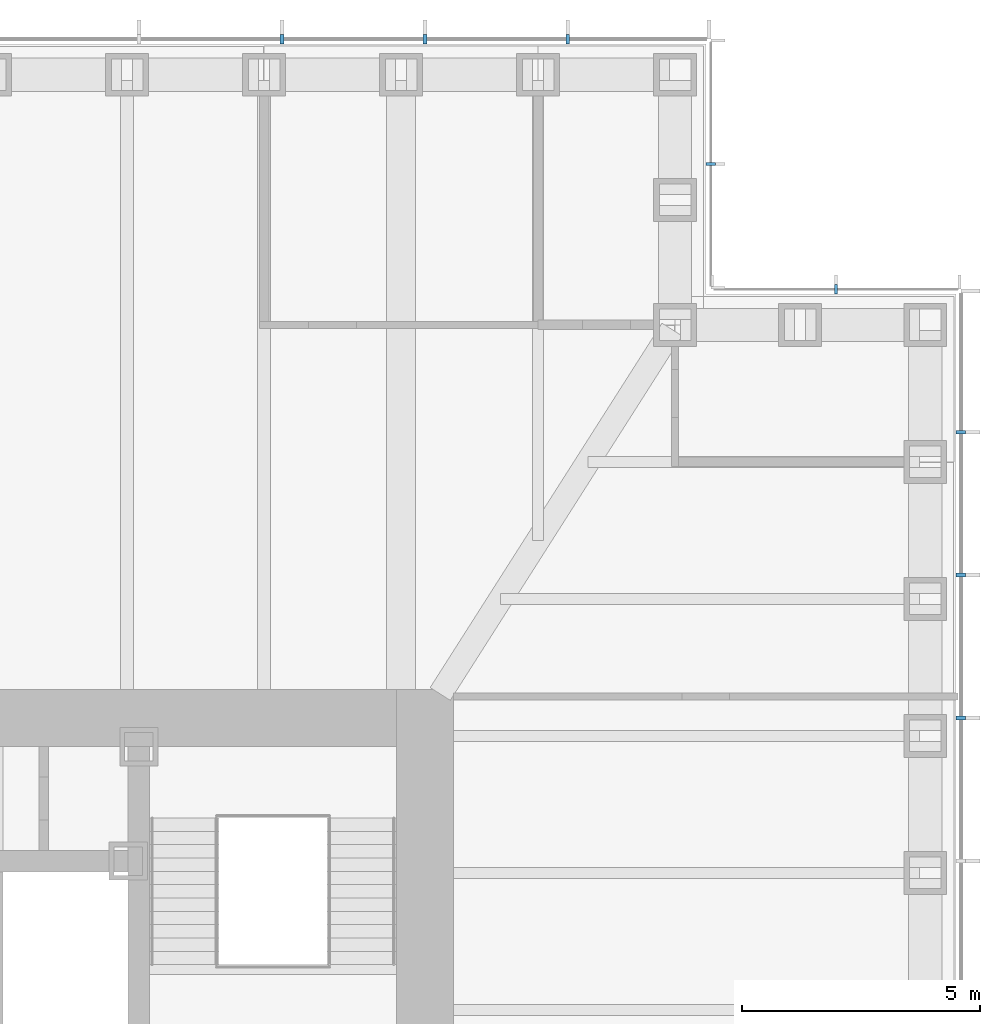
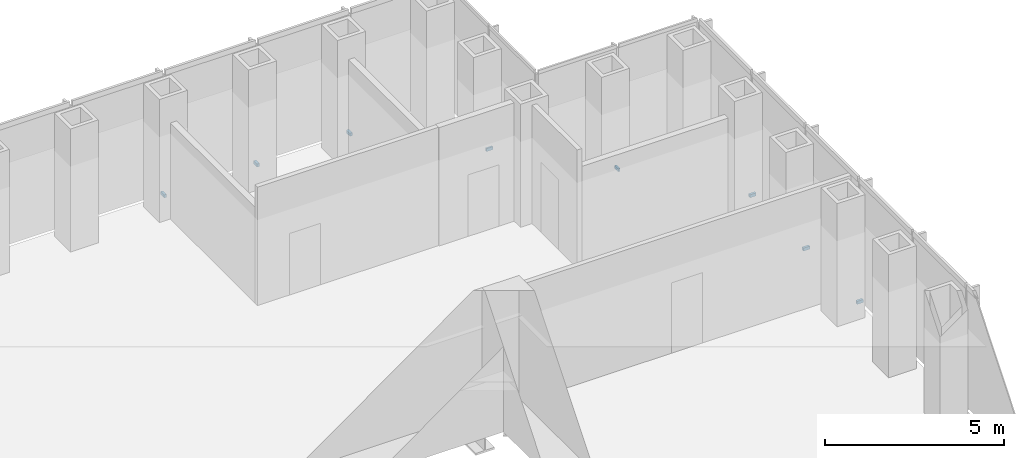
# One storey, part 16 of 17: 8 discrete accessories.
"""IFC4 building model written with IfcOpenShell, lengths in metres."""

from ifc_helpers import new_model, si_unit, direction, frame, origin, origin_2d, place, context, subcontext, project, spatial, rectangle, extrude, element, save


model = new_model("IFC4")

# Units and contexts
model_context = context("Model", 3, precision=1e-05, world=origin(), true_north=direction((0.0, 1.0)))
body_context = subcontext(model_context, "Body", "Model", "MODEL_VIEW")
ifc_project = project(units=[si_unit("LENGTHUNIT", "METRE"), si_unit("AREAUNIT", "SQUARE_METRE"), si_unit("VOLUMEUNIT", "CUBIC_METRE"), si_unit("PLANEANGLEUNIT", "RADIAN"), si_unit("MASSUNIT", "GRAM", prefix="KILO")], contexts=[model_context])

# Site, building, storey
site_placement = place(None, origin())
site = spatial("IfcSite", under=ifc_project, at=site_placement, CompositionType="ELEMENT")
building_placement = place(site_placement, origin())
building = spatial("IfcBuilding", under=site, at=building_placement, Name="Daluyong Arena Tower", CompositionType="ELEMENT")
storey_placement = place(building_placement, frame((0.0, 0.0, 154.300048828125)))
storey = spatial("IfcBuildingStorey", under=building, at=storey_placement, Name="L34", CompositionType="ELEMENT", Elevation=154.300048828125)

# Discrete accessories
for number, where, z_axis, x_axis, name in (
    (1, (79.25, 89.0, -0.10009765625), (0.0, 0.0, 1.0), (0.0, 1.0, 0.0), "curtain wall L34 E anchor bracket 10"),
    (2, (79.25, 92.0, -0.10009765625), (0.0, 0.0, 1.0), (0.0, 1.0, 0.0), "curtain wall L34 E anchor bracket 11"),
    (3, (79.25, 95.0, -0.10009765625), (0.0, 0.0, 1.0), (0.0, 1.0, 0.0), "curtain wall L34 E anchor bracket 12"),
):
    element("IfcDiscreteAccessory", number, at=place(storey_placement, frame(where, z_axis=z_axis, x_axis=x_axis)), inside=storey, Name=name, PredefinedType="BRACKET", context=body_context, shape_type="SweptSolid", body=[
        extrude(rectangle(XDim=0.080078125, YDim=0.199951171875, at=origin_2d()), origin(), (0.0, 0.0, 1.0), 0.10009765625),
    ])
for number, where, z_axis, x_axis, name in (
    (4, (76.625, 98.0, -0.10009765625), (0.0, 0.0, 1.0), (-1.0, 0.0, 0.0), "curtain wall L34 NE-N anchor bracket 2"),
    (5, (74.0, 100.625, -0.10009765625), (0.0, 0.0, 1.0), (0.0, 1.0, 0.0), "curtain wall L34 NE-E anchor bracket 2"),
):
    element("IfcDiscreteAccessory", number, at=place(storey_placement, frame(where, z_axis=z_axis, x_axis=x_axis)), inside=storey, Name=name, PredefinedType="BRACKET", context=body_context, shape_type="SweptSolid", body=[
        extrude(rectangle(XDim=0.06005859375, YDim=0.199951171875, at=origin_2d()), origin(), (0.0, 0.0, 1.0), 0.10009765625),
    ])
for number, where, z_axis, x_axis, name in (
    (6, (71.0, 103.25, -0.10009765625), (0.0, 0.0, 1.0), (-1.0, 0.0, 0.0), "curtain wall L34 N anchor bracket 2"),
    (7, (68.0, 103.25, -0.10009765625), (0.0, 0.0, 1.0), (-1.0, 0.0, 0.0), "curtain wall L34 N anchor bracket 3"),
    (8, (65.0, 103.25, -0.10009765625), (0.0, 0.0, 1.0), (-1.0, 0.0, 0.0), "curtain wall L34 N anchor bracket 4"),
):
    element("IfcDiscreteAccessory", number, at=place(storey_placement, frame(where, z_axis=z_axis, x_axis=x_axis)), inside=storey, Name=name, PredefinedType="BRACKET", context=body_context, shape_type="SweptSolid", body=[
        extrude(rectangle(XDim=0.080078125, YDim=0.199951171875, at=origin_2d()), origin(), (0.0, 0.0, 1.0), 0.10009765625),
    ])

save(model, "model.ifc")
